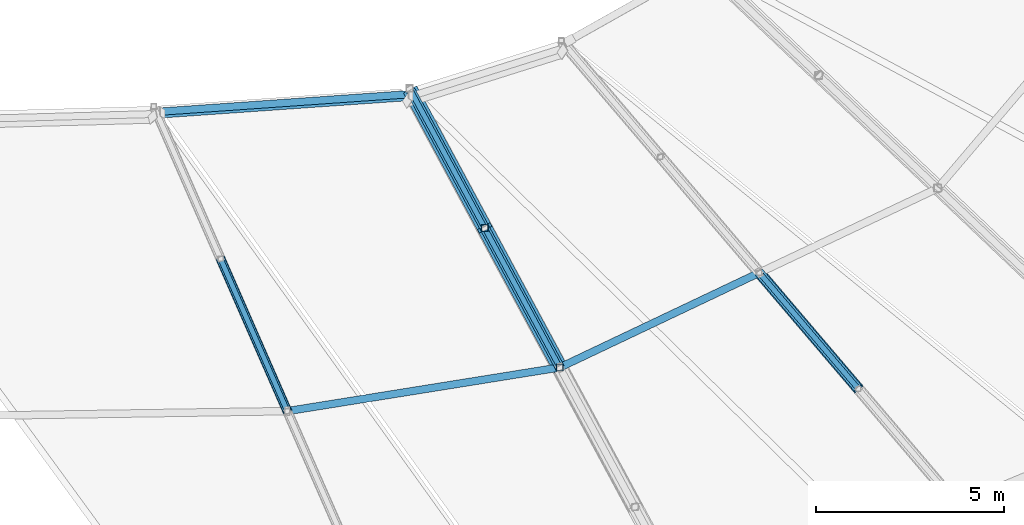
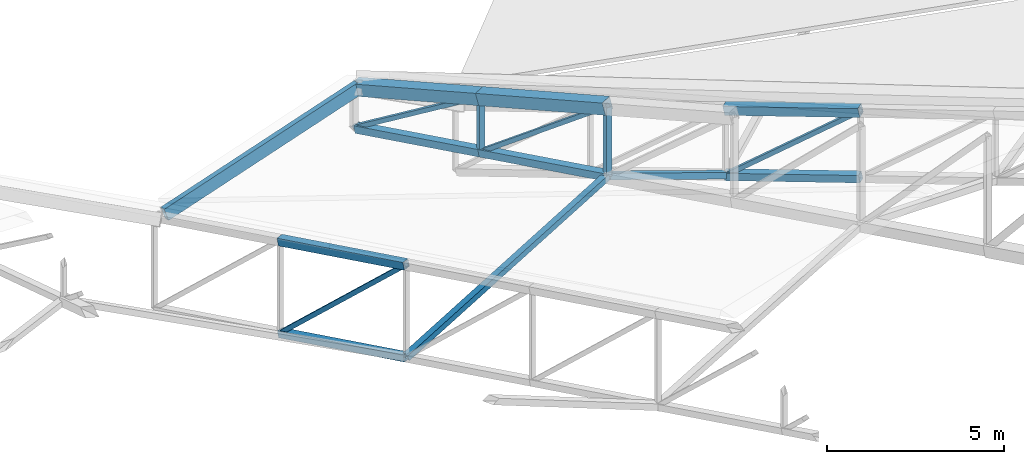
# One storey, part 82 of 344: 16 members, 1 beam.
"""IFC4 building model written with IfcOpenShell, lengths in metres."""

import ifcopenshell
import ifcopenshell.guid

model = None  # the IFC model being written
_history = None  # IfcOwnerHistory: only IFC2X3 demands one
_inside = {}  # id of a spatial element -> (the spatial element, [elements in it])
_under = {}  # id of a project, library or spatial element -> (it, [spatial elements below it])
_declared = {}  # id of a project -> (the project, [libraries it declares])
_typed = {}  # id of a type object -> (the type object, [elements of that type])
_made_of = {}  # id of a material, layer set ... -> (it, [elements and type objects made of it])


def new_model(schema):
    """Start an empty IFC model of exactly this schema.

    Asked for "IFC4X3", IfcOpenShell would pick the latest addendum, in which some entities
    have other attributes; the version numbers below select the first issue.
    IFC2X3 requires an IfcOwnerHistory on every rooted entity: one is made here for all.
    """
    global model, _history
    if schema == "IFC4X3":
        model = ifcopenshell.file(schema_version=(4, 3, 0, 0))
    else:
        model = ifcopenshell.file(schema=schema)
    _inside.clear()
    _under.clear()
    _declared.clear()
    _typed.clear()
    _made_of.clear()
    _history = None
    if model.schema == "IFC2X3":
        org = make("IfcOrganization", Name="unknown")
        user = make(
            "IfcPersonAndOrganization",
            ThePerson=make("IfcPerson", FamilyName="unknown"),
            TheOrganization=org,
        )
        app = make(
            "IfcApplication",
            ApplicationDeveloper=org,
            Version="unknown",
            ApplicationFullName="unknown",
            ApplicationIdentifier="unknown",
        )
        _history = make(
            "IfcOwnerHistory",
            OwningUser=user,
            OwningApplication=app,
            ChangeAction="ADDED",
            CreationDate=0,
        )
    return model


def make(cls, **values):
    """One entity of the class cls with the attributes given. An attribute that is None is left unset."""
    return model.create_entity(
        cls, **{name: value for name, value in values.items() if value is not None}
    )


def rooted(cls, **values):
    """An entity with a GlobalId (a new one), such as an element, a storey or a relation."""
    return make(cls, GlobalId=ifcopenshell.guid.new(), OwnerHistory=_history, **values)


def si_unit(unit_type, name, prefix=None):
    """IfcSIUnit, for example si_unit("LENGTHUNIT", "METRE", prefix="MILLI")."""
    return make("IfcSIUnit", UnitType=unit_type, Prefix=prefix, Name=name)


def assignment(units):
    """IfcUnitAssignment: the units of a project."""
    return None if units is None else make("IfcUnitAssignment", Units=units)


def point(xyz):
    """IfcCartesianPoint."""
    return None if xyz is None else make("IfcCartesianPoint", Coordinates=xyz)


def direction(xyz):
    """IfcDirection."""
    return None if xyz is None else make("IfcDirection", DirectionRatios=xyz)


def frame(location, z_axis=None, x_axis=None):
    """IfcAxis2Placement3D, a coordinate frame: its origin and axes. An axis left out is left unset."""
    return make(
        "IfcAxis2Placement3D",
        Location=point(location),
        Axis=direction(z_axis),
        RefDirection=direction(x_axis),
    )


def frame_2d(location, x_axis=None):
    """IfcAxis2Placement2D, a coordinate frame in the plane: its origin and x axis."""
    return make(
        "IfcAxis2Placement2D", Location=point(location), RefDirection=direction(x_axis)
    )


def origin():
    """The frame at (0, 0, 0) with its axes left unset."""
    return frame((0.0, 0.0, 0.0))


def origin_2d():
    """The frame at (0, 0) in the plane with its x axis left unset."""
    return frame_2d((0.0, 0.0))


def place(relative_to, where):
    """IfcLocalPlacement: puts the frame where relative to a parent placement (None: the world)."""
    return make(
        "IfcLocalPlacement", PlacementRelTo=relative_to, RelativePlacement=where
    )


def context(
    kind, dimensions, precision=None, world=None, true_north=None, identifier=None
):
    """IfcGeometricRepresentationContext, for example the 3D "Model" context."""
    return make(
        "IfcGeometricRepresentationContext",
        ContextIdentifier=identifier,
        ContextType=kind,
        CoordinateSpaceDimension=dimensions,
        Precision=precision,
        WorldCoordinateSystem=world,
        TrueNorth=true_north,
    )


def subcontext(parent, identifier, kind, view, scale=None):
    """IfcGeometricRepresentationSubContext, for example "Body" below "Model"."""
    return make(
        "IfcGeometricRepresentationSubContext",
        ContextIdentifier=identifier,
        ContextType=kind,
        ParentContext=parent,
        TargetScale=scale,
        TargetView=view,
    )


def project(units=None, contexts=None):
    """IfcProject with its units and contexts."""
    return rooted(
        "IfcProject",
        Name="project",
        RepresentationContexts=contexts,
        UnitsInContext=assignment(units),
    )


def spatial(cls, under=None, at=None, **own):
    """A site, building, storey or space (cls), placed at a placement, below another one or the project."""
    s = rooted(cls, ObjectPlacement=at, **own)
    if under is not None:
        _under.setdefault(under.id(), (under, []))[1].append(s)
    return s


def profile(cls, at=None, kind="AREA", **sizes):
    """A parametric profile (cls). Its sizes go by their IFC names, for example OverallWidth=200.0."""
    return make(cls, ProfileType=kind, Position=at, **sizes)


def hollow_rectangle(**sizes):
    """IfcRectangleHollowProfileDef."""
    return profile("IfcRectangleHollowProfileDef", **sizes)


def extrude(swept, where, along, depth):
    """IfcExtrudedAreaSolid: the profile swept, set in the frame where, extruded along a direction by depth."""
    return make(
        "IfcExtrudedAreaSolid",
        SweptArea=swept,
        Position=where,
        ExtrudedDirection=direction(along),
        Depth=depth,
    )


def shape(context_of_items, identifier, shape_type, items):
    """IfcShapeRepresentation: the items that make up one representation, for example the "Body"."""
    return make(
        "IfcShapeRepresentation",
        ContextOfItems=context_of_items,
        RepresentationIdentifier=identifier,
        RepresentationType=shape_type,
        Items=items,
    )


def material(Name=None, Category=None):
    """IfcMaterial."""
    return make("IfcMaterial", Name=Name, Category=Category)


def material_profile(
    of_material, cross_section, Name=None, Category=None, Priority=None
):
    """IfcMaterialProfile: a cross section and its material."""
    return make(
        "IfcMaterialProfile",
        Name=Name,
        Material=of_material,
        Profile=cross_section,
        Priority=Priority,
        Category=Category,
    )


def profile_set(profiles, Name=None, composite=None):
    """IfcMaterialProfileSet."""
    return make(
        "IfcMaterialProfileSet",
        Name=Name,
        MaterialProfiles=profiles,
        CompositeProfile=composite,
    )


def made_of(thing, what):
    """Note that an element or type object is made of a material, layer set ...; save() writes the relation."""
    if what is not None:
        _made_of.setdefault(what.id(), (what, []))[1].append(thing)
    return thing


def type_object(cls, material=None, **own):
    """A type object (cls), such as IfcWallType, which elements share."""
    return made_of(rooted(cls, **own), material)


def element(
    cls,
    number,
    at=None,
    inside=None,
    cuts=None,
    type_object=None,
    material=None,
    context=None,
    identifier="Body",
    shape_type=None,
    held_by="IfcProductDefinitionShape",
    body=None,
    shapes=None,
    **own,
):
    """One element of the class cls, such as IfcWall. Its Tag is "e" and its number.

    at: its placement. inside: the storey or other place that contains it. cuts: it is an
    opening in that element (IfcRelVoidsElement). A single representation is given by context,
    identifier, shape_type and body (its items); several are given by shapes. held_by: the class
    of the entity that holds the representations. save() writes the other relations.
    """
    e = rooted(cls, Tag="e%d" % number, ObjectPlacement=at, **own)
    if body is not None:
        shapes = [shape(context, identifier, shape_type, body)]
    if shapes is not None:
        e.Representation = make(held_by, Representations=shapes)
    if inside is not None:
        _inside.setdefault(inside.id(), (inside, []))[1].append(e)
    if cuts is not None:
        rooted(
            "IfcRelVoidsElement", RelatingBuildingElement=cuts, RelatedOpeningElement=e
        )
    if type_object is not None:
        _typed.setdefault(type_object.id(), (type_object, []))[1].append(e)
    return made_of(e, material)


def aggregate(whole, parts):
    """IfcRelAggregates: a whole, such as a stair, and the parts it consists of."""
    return rooted("IfcRelAggregates", RelatingObject=whole, RelatedObjects=parts)


def save(model, path):
    """Write the relations noted so far, then the file.

    IfcRelAggregates (storeys below a building ...), IfcRelContainedInSpatialStructure (elements
    in a storey), IfcRelDefinesByType, IfcRelAssociatesMaterial and IfcRelDeclares: one each for
    every whole, place, type object, material and project.
    """
    for whole, parts in _under.values():
        aggregate(whole, parts)
    for where, things in _inside.values():
        rooted(
            "IfcRelContainedInSpatialStructure",
            RelatedElements=things,
            RelatingStructure=where,
        )
    for kind, things in _typed.values():
        rooted("IfcRelDefinesByType", RelatedObjects=things, RelatingType=kind)
    for what, things in _made_of.values():
        rooted("IfcRelAssociatesMaterial", RelatedObjects=things, RelatingMaterial=what)
    for by, libraries in _declared.values():
        rooted("IfcRelDeclares", RelatingContext=by, RelatedDefinitions=libraries)
    model.write(path)


model = new_model("IFC4")

# Units and contexts
model_context = context("Model", 3, precision=1e-05, world=origin(), true_north=direction((0.0, 1.0)))
body_context = subcontext(model_context, "Body", "Model", "MODEL_VIEW")
ifc_project = project(units=[si_unit("LENGTHUNIT", "METRE"), si_unit("AREAUNIT", "SQUARE_METRE"), si_unit("VOLUMEUNIT", "CUBIC_METRE"), si_unit("PLANEANGLEUNIT", "RADIAN"), si_unit("MASSUNIT", "GRAM", prefix="KILO")], contexts=[model_context])

# Site, building, storey
site_placement = place(None, origin())
site = spatial("IfcSite", under=ifc_project, at=site_placement, CompositionType="ELEMENT")
building_placement = place(site_placement, origin())
building = spatial("IfcBuilding", under=site, at=building_placement, Name="Meseta Stadium", CompositionType="ELEMENT")
storey_placement = place(building_placement, frame((0.0, 0.0, 24.0)))
storey = spatial("IfcBuildingStorey", under=building, at=storey_placement, Name="L04", CompositionType="ELEMENT", Elevation=24.0)

# Beam
ifc_material_1 = material(Name="Steel S355", Category="steel")
ifc_material_profile_1 = material_profile(ifc_material_1, hollow_rectangle(XDim=0.199951171875, YDim=0.39990234375, WallThickness=0.01611328125, at=origin_2d()), Name="RHS 400x200x16")
ifc_profile_set_1 = profile_set([ifc_material_profile_1], Name="Steel S355")
beam_type = type_object("IfcBeamType", Name="RHS 400x200x16 tip ring beam", PredefinedType="BEAM", material=ifc_profile_set_1)
beam_placement = place(storey_placement, frame((24.114501953125, -65.75146484375, 1.63671875), z_axis=(0.962963308248, 0.06747558513, 0.261053083453), x_axis=(-0.020675805334, 0.983809354056, -0.178021532253)))
element("IfcBeam", 1, at=beam_placement, inside=storey, type_object=beam_type, Name="TIP RING BEAM 50", PredefinedType="BEAM", context=body_context, shape_type="SweptSolid", body=[
    extrude(hollow_rectangle(XDim=0.199951171875, YDim=0.39990234375, WallThickness=0.01611328125, at=origin_2d()), origin(), (0.0, 0.0, 1.0), 6.842041015625),
])

# Members
ifc_material_2 = material(Name="Steel S355", Category="steel")
ifc_material_profile_2 = material_profile(ifc_material_2, hollow_rectangle(XDim=0.139892578125, YDim=0.139892578125, WallThickness=0.0048828125, at=origin_2d()), Name="SHS 140x140x5")
ifc_profile_set_2 = profile_set([ifc_material_profile_2], Name="Steel S355")
member_type_1 = type_object("IfcMemberType", Name="SHS 140x140x5 diagonal", PredefinedType="BRACE", material=ifc_profile_set_2)
member_1_placement = place(storey_placement, frame((25.65478515625, -69.6328125, -0.656494140625), z_axis=(0.290962382182, -0.66466819208, 0.688154842017), x_axis=(0.916071251187, 0.401015539287, 0.0)))
element("IfcMember", 2, at=member_1_placement, inside=storey, type_object=member_type_1, Name="ROOF TRUSS RT-49 diagonal", PredefinedType="BRACE", context=body_context, shape_type="SweptSolid", body=[
    extrude(hollow_rectangle(XDim=0.139892578125, YDim=0.139892578125, WallThickness=0.0048828125, at=origin_2d()), origin(), (0.0, 0.0, 1.0), 6.101806640625),
])
member_2_placement = place(storey_placement, frame((30.68212890625, -65.100341796875, 1.9443359375), z_axis=(0.402981863045, -0.748113790672, 0.527191970978), x_axis=(0.880396734491, 0.474237904324, 0.0)))
element("IfcMember", 3, at=member_2_placement, inside=storey, type_object=member_type_1, Name="ROOF TRUSS RT-50 diagonal", PredefinedType="BRACE", context=body_context, shape_type="SweptSolid", body=[
    extrude(hollow_rectangle(XDim=0.139892578125, YDim=0.139892578125, WallThickness=0.0048828125, at=origin_2d()), origin(), (0.0, 0.0, 1.0), 4.962890625),
])
member_3_placement = place(storey_placement, frame((32.68212890625, -68.813232421875, 2.657958984375), z_axis=(0.38127331743, -0.707813062924, 0.594669088965), x_axis=(0.880396734491, 0.474237904324, 0.0)))
element("IfcMember", 4, at=member_3_placement, inside=storey, type_object=member_type_1, Name="ROOF TRUSS RT-50 diagonal", PredefinedType="BRACE", context=body_context, shape_type="SweptSolid", body=[
    extrude(hollow_rectangle(XDim=0.139892578125, YDim=0.139892578125, WallThickness=0.0048828125, at=origin_2d()), origin(), (0.0, 0.0, 1.0), 5.24560546875),
])
member_4_placement = place(storey_placement, frame((39.99169921875, -70.005859375, 0.01123046875), z_axis=(0.51129008099, -0.599561179209, 0.615718154245), x_axis=(0.760896819388, 0.64887289221, 0.0)))
element("IfcMember", 5, at=member_4_placement, inside=storey, type_object=member_type_1, Name="ROOF TRUSS RT-51 diagonal", PredefinedType="BRACE", context=body_context, shape_type="SweptSolid", body=[
    extrude(hollow_rectangle(XDim=0.139892578125, YDim=0.139892578125, WallThickness=0.0048828125, at=origin_2d()), origin(), (0.0, 0.0, 1.0), 5.152587890625),
])
ifc_material_3 = material(Name="Steel S355", Category="steel")
ifc_material_profile_3 = material_profile(ifc_material_3, hollow_rectangle(XDim=0.179931640625, YDim=0.179931640625, WallThickness=0.00634765625, at=origin_2d()), Name="SHS 180x180x6.3")
ifc_profile_set_3 = profile_set([ifc_material_profile_3], Name="Steel S355")
member_type_2 = type_object("IfcMemberType", Name="SHS 180x180x6.3 post", PredefinedType="POST", material=ifc_profile_set_3)
member_5_placement = place(storey_placement, frame((32.68212890625, -68.813232421875, 2.657958984375), z_axis=(0.0, 0.0, 1.0), x_axis=(1.0, 0.0, 0.0)))
element("IfcMember", 6, at=member_5_placement, inside=storey, type_object=member_type_2, Name="ROOF TRUSS RT-50 post", PredefinedType="POST", context=body_context, shape_type="SweptSolid", body=[
    extrude(hollow_rectangle(XDim=0.179931640625, YDim=0.179931640625, WallThickness=0.00634765625, at=origin_2d()), origin(), (0.0, 0.0, 1.0), 1.90283203125),
])
member_6_placement = place(storey_placement, frame((34.68212890625, -72.526123046875, 3.37158203125), z_axis=(0.0, 0.0, 1.0), x_axis=(1.0, 0.0, 0.0)))
element("IfcMember", 7, at=member_6_placement, inside=storey, type_object=member_type_2, Name="ROOF TRUSS RT-50 post", PredefinedType="POST", context=body_context, shape_type="SweptSolid", body=[
    extrude(hollow_rectangle(XDim=0.179931640625, YDim=0.179931640625, WallThickness=0.00634765625, at=origin_2d()), origin(), (0.0, 0.0, 1.0), 2.40576171875),
])
ifc_material_4 = material(Name="Steel S355", Category="steel")
ifc_material_profile_4 = material_profile(ifc_material_4, hollow_rectangle(XDim=0.199951171875, YDim=0.199951171875, WallThickness=0.008056640625, at=origin_2d()), Name="SHS 200x200x8")
ifc_profile_set_4 = profile_set([ifc_material_profile_4], Name="Steel S355")
member_type_3 = type_object("IfcMemberType", Name="SHS 200x200x8 strut", PredefinedType="STRUT", material=ifc_profile_set_4)
member_7_placement = place(storey_placement, frame((27.43017578125, -73.6884765625, 0.342529296875), z_axis=(0.912812631175, 0.14630692624, 0.381270748552), x_axis=(-0.158261455193, 0.987397241135, 0.0)))
element("IfcMember", 8, at=member_7_placement, inside=storey, type_object=member_type_3, Name="ROOF TRUSS STRUT RT-49/50", PredefinedType="STRUT", context=body_context, shape_type="SweptSolid", body=[
    extrude(hollow_rectangle(XDim=0.199951171875, YDim=0.199951171875, WallThickness=0.008056640625, at=origin_2d()), origin(), (0.0, 0.0, 1.0), 7.944580078125),
])
member_8_placement = place(storey_placement, frame((34.68212890625, -72.526123046875, 3.37158203125), z_axis=(0.78425929741, 0.372259919402, -0.496346559203), x_axis=(-0.428809384853, 0.90339499194, 0.0)))
element("IfcMember", 9, at=member_8_placement, inside=storey, type_object=member_type_3, Name="ROOF TRUSS STRUT RT-50/51", PredefinedType="STRUT", context=body_context, shape_type="SweptSolid", body=[
    extrude(hollow_rectangle(XDim=0.199951171875, YDim=0.199951171875, WallThickness=0.008056640625, at=origin_2d()), origin(), (0.0, 0.0, 1.0), 6.770263671875),
])
ifc_material_5 = material(Name="Steel S355", Category="steel")
ifc_material_profile_5 = material_profile(ifc_material_5, hollow_rectangle(XDim=0.219970703125, YDim=0.219970703125, WallThickness=0.008056640625, at=origin_2d()), Name="SHS 220x220x8")
ifc_profile_set_5 = profile_set([ifc_material_profile_5], Name="Steel S355")
member_type_4 = type_object("IfcMemberType", Name="SHS 220x220x8 bottom chord", PredefinedType="CHORD", material=ifc_profile_set_5)
member_9_placement = place(storey_placement, frame((25.65478515625, -69.6328125, -0.656494140625), z_axis=(0.391179811732, -0.89360272724, 0.220119333004), x_axis=(0.916071251187, 0.401015539287, 0.0)))
element("IfcMember", 10, at=member_9_placement, inside=storey, type_object=member_type_4, Name="ROOF TRUSS RT-49 bottom chord", PredefinedType="CHORD", context=body_context, shape_type="SweptSolid", body=[
    extrude(hollow_rectangle(XDim=0.219970703125, YDim=0.219970703125, WallThickness=0.008056640625, at=origin_2d()), origin(), (0.0, 0.0, 1.0), 4.53857421875),
])
ifc_material_6 = material(Name="Steel S355", Category="steel")
ifc_material_profile_6 = material_profile(ifc_material_6, hollow_rectangle(XDim=0.25, YDim=0.25, WallThickness=0.010009765625, at=origin_2d()), Name="SHS 250x250x10")
ifc_profile_set_6 = profile_set([ifc_material_profile_6], Name="Steel S355")
member_type_5 = type_object("IfcMemberType", Name="SHS 250x250x10 bottom chord", PredefinedType="CHORD", material=ifc_profile_set_6)
member_10_placement = place(storey_placement, frame((30.72412109375, -65.178466796875, 1.95947265625), z_axis=(0.467610054373, -0.868052180737, 0.166812015656), x_axis=(0.88038753908, 0.474254974706, 0.0)))
element("IfcMember", 11, at=member_10_placement, inside=storey, type_object=member_type_5, Name="ROOF TRUSS RT-50 bottom chord", PredefinedType="CHORD", context=body_context, shape_type="SweptSolid", body=[
    extrude(hollow_rectangle(XDim=0.25, YDim=0.25, WallThickness=0.010009765625, at=origin_2d()), origin(), (0.0, 0.0, 1.0), 4.187255859375),
])
member_11_placement = place(storey_placement, frame((32.68212890625, -68.813232421875, 2.657958984375), z_axis=(0.46759083346, -0.868056810945, 0.166841797632), x_axis=(0.880396734491, 0.474237904324, 0.0)))
element("IfcMember", 12, at=member_11_placement, inside=storey, type_object=member_type_5, Name="ROOF TRUSS RT-50 bottom chord", PredefinedType="CHORD", context=body_context, shape_type="SweptSolid", body=[
    extrude(hollow_rectangle(XDim=0.25, YDim=0.25, WallThickness=0.010009765625, at=origin_2d()), origin(), (0.0, 0.0, 1.0), 4.27734375),
])
member_12_placement = place(storey_placement, frame((39.99169921875, -70.005859375, 0.01123046875), z_axis=(0.634388494448, -0.743911779144, 0.210110692165), x_axis=(0.760896819388, 0.64887289221, 0.0)))
element("IfcMember", 13, at=member_12_placement, inside=storey, type_object=member_type_5, Name="ROOF TRUSS RT-51 bottom chord", PredefinedType="CHORD", context=body_context, shape_type="SweptSolid", body=[
    extrude(hollow_rectangle(XDim=0.25, YDim=0.25, WallThickness=0.010009765625, at=origin_2d()), origin(), (0.0, 0.0, 1.0), 4.15283203125),
])
ifc_material_7 = material(Name="Steel S355", Category="steel")
ifc_material_profile_7 = material_profile(ifc_material_7, hollow_rectangle(XDim=0.25, YDim=0.25, WallThickness=0.010009765625, at=origin_2d()), Name="SHS 250x250x10")
ifc_profile_set_7 = profile_set([ifc_material_profile_7], Name="Steel S355")
member_type_6 = type_object("IfcMemberType", Name="SHS 250x250x10 top chord", PredefinedType="CHORD", material=ifc_profile_set_7)
member_13_placement = place(storey_placement, frame((25.65478515625, -69.6328125, 2.543701171875), z_axis=(0.391184443127, -0.893613307099, 0.220068145879), x_axis=(0.916071251187, 0.401015539287, 0.0)))
element("IfcMember", 14, at=member_13_placement, inside=storey, type_object=member_type_6, Name="ROOF TRUSS RT-49 top chord", PredefinedType="CHORD", context=body_context, shape_type="SweptSolid", body=[
    extrude(hollow_rectangle(XDim=0.25, YDim=0.25, WallThickness=0.010009765625, at=origin_2d()), origin(), (0.0, 0.0, 1.0), 4.53857421875),
])
ifc_material_8 = material(Name="Steel S355", Category="steel")
ifc_material_profile_8 = material_profile(ifc_material_8, hollow_rectangle(XDim=0.300048828125, YDim=0.300048828125, WallThickness=0.010009765625, at=origin_2d()), Name="SHS 300x300x10")
ifc_profile_set_8 = profile_set([ifc_material_profile_8], Name="Steel S355")
member_type_7 = type_object("IfcMemberType", Name="SHS 300x300x10 top chord", PredefinedType="CHORD", material=ifc_profile_set_8)
member_14_placement = place(storey_placement, frame((39.99169921875, -70.005859375, 2.311279296875), z_axis=(0.634388494448, -0.743911779144, 0.210110692165), x_axis=(0.760896819388, 0.64887289221, 0.0)))
element("IfcMember", 15, at=member_14_placement, inside=storey, type_object=member_type_7, Name="ROOF TRUSS RT-51 top chord", PredefinedType="CHORD", context=body_context, shape_type="SweptSolid", body=[
    extrude(hollow_rectangle(XDim=0.300048828125, YDim=0.300048828125, WallThickness=0.010009765625, at=origin_2d()), origin(), (0.0, 0.0, 1.0), 4.15283203125),
])
ifc_material_9 = material(Name="Steel S355", Category="steel")
ifc_material_profile_9 = material_profile(ifc_material_9, hollow_rectangle(XDim=0.39990234375, YDim=0.39990234375, WallThickness=0.010009765625, at=origin_2d()), Name="SHS 400x400x10")
ifc_profile_set_9 = profile_set([ifc_material_profile_9], Name="Steel S355")
member_type_8 = type_object("IfcMemberType", Name="SHS 400x400x10 top chord", PredefinedType="CHORD", material=ifc_profile_set_9)
member_15_placement = place(storey_placement, frame((30.72314453125, -65.176513671875, 3.369384765625), z_axis=(0.455666588297, -0.845913447067, 0.277125243132), x_axis=(0.880395176794, 0.474240796092, 0.0)))
element("IfcMember", 16, at=member_15_placement, inside=storey, type_object=member_type_8, Name="ROOF TRUSS RT-50 top chord", PredefinedType="CHORD", context=body_context, shape_type="SweptSolid", body=[
    extrude(hollow_rectangle(XDim=0.39990234375, YDim=0.39990234375, WallThickness=0.010009765625, at=origin_2d()), origin(), (0.0, 0.0, 1.0), 4.299072265625),
])
member_16_placement = place(storey_placement, frame((32.68212890625, -68.813232421875, 4.560791015625), z_axis=(0.455658217472, -0.845904561928, 0.277166125203), x_axis=(0.880396734491, 0.474237904324, 0.0)))
element("IfcMember", 17, at=member_16_placement, inside=storey, type_object=member_type_8, Name="ROOF TRUSS RT-50 top chord", PredefinedType="CHORD", context=body_context, shape_type="SweptSolid", body=[
    extrude(hollow_rectangle(XDim=0.39990234375, YDim=0.39990234375, WallThickness=0.010009765625, at=origin_2d()), origin(), (0.0, 0.0, 1.0), 4.38916015625),
])

save(model, "model.ifc")
